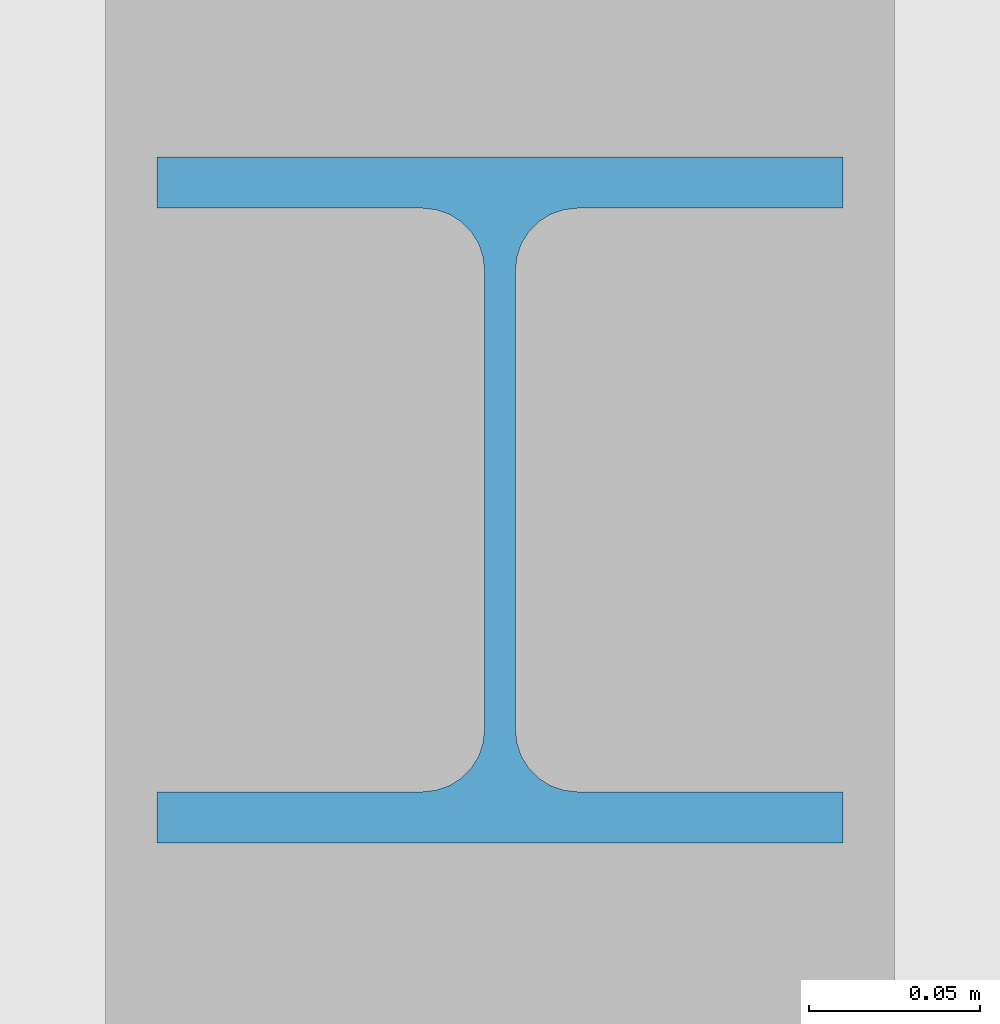
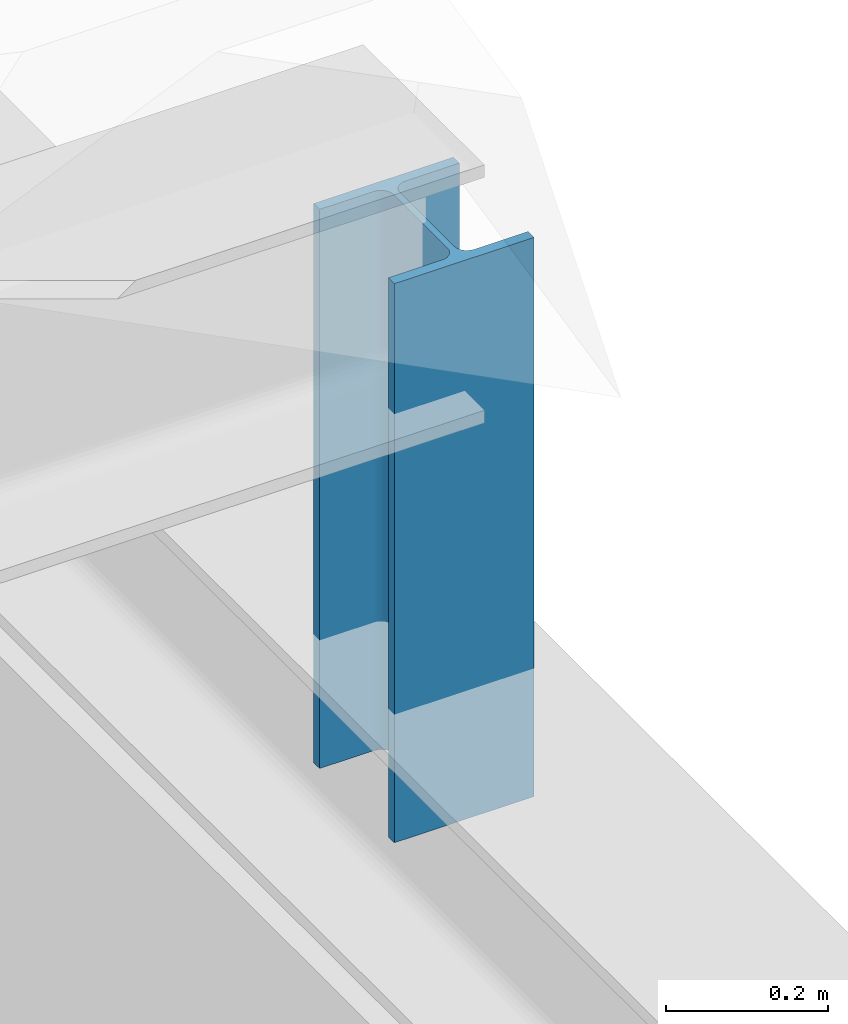
# One storey, part 14 of 26: 1 member.
"""IFC4 building model written with IfcOpenShell, lengths in metres."""

from ifc_helpers import new_model, si_unit, direction, frame, origin, origin_2d, place, context, subcontext, project, spatial, i_section, extrude, material, material_profile, profile_set, type_object, element, save


model = new_model("IFC4")

# Units and contexts
model_context = context("Model", 3, precision=1e-05, world=origin(), true_north=direction((0.0, 1.0)))
body_context = subcontext(model_context, "Body", "Model", "MODEL_VIEW")
ifc_project = project(units=[si_unit("LENGTHUNIT", "METRE"), si_unit("AREAUNIT", "SQUARE_METRE"), si_unit("VOLUMEUNIT", "CUBIC_METRE"), si_unit("PLANEANGLEUNIT", "RADIAN"), si_unit("MASSUNIT", "GRAM", prefix="KILO")], contexts=[model_context])

# Site, building, storey
site_placement = place(None, origin())
site = spatial("IfcSite", under=ifc_project, at=site_placement, CompositionType="ELEMENT")
building_placement = place(site_placement, origin())
building = spatial("IfcBuilding", under=site, at=building_placement, Name="Danafjord Basin Convention Centre", CompositionType="ELEMENT")
storey_placement = place(building_placement, frame((0.0, 0.0, 29.39990234375)))
storey = spatial("IfcBuildingStorey", under=building, at=storey_placement, Name="RF", CompositionType="ELEMENT", Elevation=29.39990234375)

# Member
ifc_material = material(Name="Steel S355", Category="steel")
ifc_material_profile = material_profile(ifc_material, i_section(OverallWidth=0.199951171875, OverallDepth=0.199951171875, WebThickness=0.009033203125, FlangeThickness=0.014892578125, FilletRadius=0.01806640625, at=origin_2d()), Name="HEB 200")
ifc_profile_set = profile_set([ifc_material_profile], Name="Steel S355")
member_type = type_object("IfcMemberType", Name="MEM-ST-HEB200", PredefinedType="STRUT", material=ifc_profile_set)
member_placement = place(storey_placement, frame((96.0, 20.0, 3.800048828125), z_axis=(0.0, 0.0, 1.0), x_axis=(1.0, 0.0, 0.0)))
element("IfcMember", 1, at=member_placement, inside=storey, type_object=member_type, Name="Observatory ridge king-post", PredefinedType="STRUT", context=body_context, shape_type="SweptSolid", body=[
    extrude(i_section(OverallWidth=0.199951171875, OverallDepth=0.199951171875, WebThickness=0.009033203125, FlangeThickness=0.014892578125, FilletRadius=0.01806640625, at=origin_2d()), origin(), (0.0, 0.0, 1.0), 0.844970703125),
])

save(model, "model.ifc")
